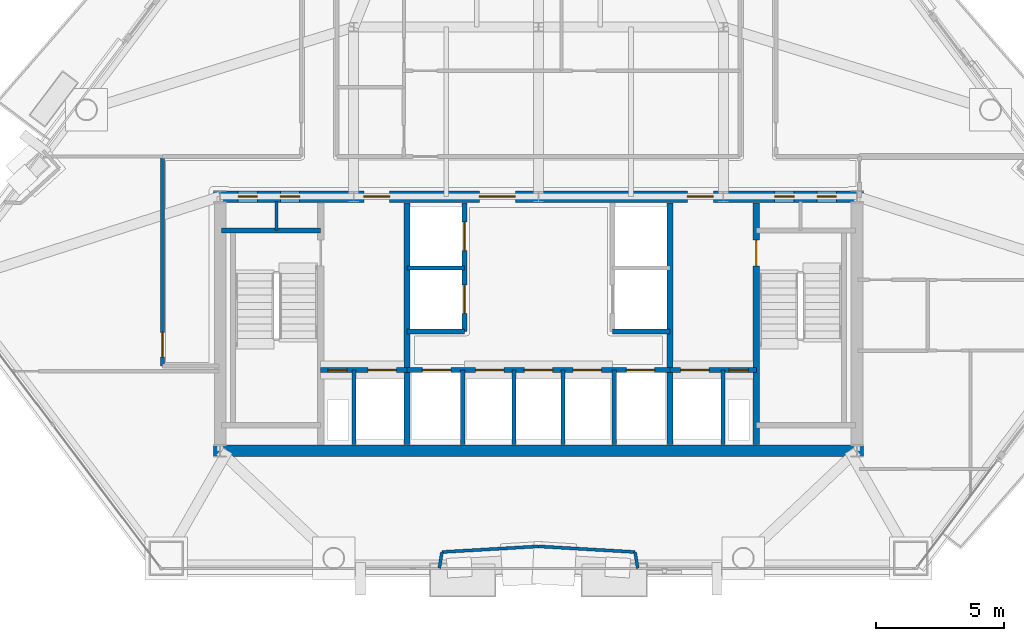
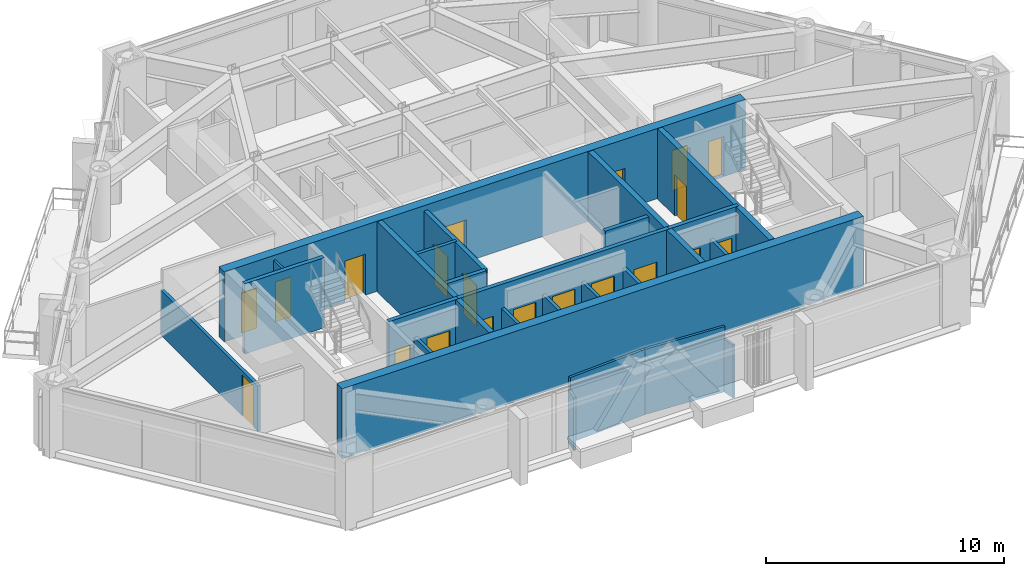
# One storey, part 6 of 11: 25 walls, 20 doors, 20 openings.
"""IFC4 building model written with IfcOpenShell, lengths in metres."""

import ifcopenshell
import ifcopenshell.guid

model = None  # the IFC model being written
_history = None  # IfcOwnerHistory: only IFC2X3 demands one
_inside = {}  # id of a spatial element -> (the spatial element, [elements in it])
_under = {}  # id of a project, library or spatial element -> (it, [spatial elements below it])
_declared = {}  # id of a project -> (the project, [libraries it declares])
_typed = {}  # id of a type object -> (the type object, [elements of that type])
_made_of = {}  # id of a material, layer set ... -> (it, [elements and type objects made of it])


def new_model(schema):
    """Start an empty IFC model of exactly this schema.

    Asked for "IFC4X3", IfcOpenShell would pick the latest addendum, in which some entities
    have other attributes; the version numbers below select the first issue.
    IFC2X3 requires an IfcOwnerHistory on every rooted entity: one is made here for all.
    """
    global model, _history
    if schema == "IFC4X3":
        model = ifcopenshell.file(schema_version=(4, 3, 0, 0))
    else:
        model = ifcopenshell.file(schema=schema)
    _inside.clear()
    _under.clear()
    _declared.clear()
    _typed.clear()
    _made_of.clear()
    _history = None
    if model.schema == "IFC2X3":
        org = make("IfcOrganization", Name="unknown")
        user = make(
            "IfcPersonAndOrganization",
            ThePerson=make("IfcPerson", FamilyName="unknown"),
            TheOrganization=org,
        )
        app = make(
            "IfcApplication",
            ApplicationDeveloper=org,
            Version="unknown",
            ApplicationFullName="unknown",
            ApplicationIdentifier="unknown",
        )
        _history = make(
            "IfcOwnerHistory",
            OwningUser=user,
            OwningApplication=app,
            ChangeAction="ADDED",
            CreationDate=0,
        )
    return model


def make(cls, **values):
    """One entity of the class cls with the attributes given. An attribute that is None is left unset."""
    return model.create_entity(
        cls, **{name: value for name, value in values.items() if value is not None}
    )


def rooted(cls, **values):
    """An entity with a GlobalId (a new one), such as an element, a storey or a relation."""
    return make(cls, GlobalId=ifcopenshell.guid.new(), OwnerHistory=_history, **values)


def si_unit(unit_type, name, prefix=None):
    """IfcSIUnit, for example si_unit("LENGTHUNIT", "METRE", prefix="MILLI")."""
    return make("IfcSIUnit", UnitType=unit_type, Prefix=prefix, Name=name)


def assignment(units):
    """IfcUnitAssignment: the units of a project."""
    return None if units is None else make("IfcUnitAssignment", Units=units)


def point(xyz):
    """IfcCartesianPoint."""
    return None if xyz is None else make("IfcCartesianPoint", Coordinates=xyz)


def direction(xyz):
    """IfcDirection."""
    return None if xyz is None else make("IfcDirection", DirectionRatios=xyz)


def frame(location, z_axis=None, x_axis=None):
    """IfcAxis2Placement3D, a coordinate frame: its origin and axes. An axis left out is left unset."""
    return make(
        "IfcAxis2Placement3D",
        Location=point(location),
        Axis=direction(z_axis),
        RefDirection=direction(x_axis),
    )


def frame_2d(location, x_axis=None):
    """IfcAxis2Placement2D, a coordinate frame in the plane: its origin and x axis."""
    return make(
        "IfcAxis2Placement2D", Location=point(location), RefDirection=direction(x_axis)
    )


def origin():
    """The frame at (0, 0, 0) with its axes left unset."""
    return frame((0.0, 0.0, 0.0))


def place(relative_to, where):
    """IfcLocalPlacement: puts the frame where relative to a parent placement (None: the world)."""
    return make(
        "IfcLocalPlacement", PlacementRelTo=relative_to, RelativePlacement=where
    )


def context(
    kind, dimensions, precision=None, world=None, true_north=None, identifier=None
):
    """IfcGeometricRepresentationContext, for example the 3D "Model" context."""
    return make(
        "IfcGeometricRepresentationContext",
        ContextIdentifier=identifier,
        ContextType=kind,
        CoordinateSpaceDimension=dimensions,
        Precision=precision,
        WorldCoordinateSystem=world,
        TrueNorth=true_north,
    )


def subcontext(parent, identifier, kind, view, scale=None):
    """IfcGeometricRepresentationSubContext, for example "Body" below "Model"."""
    return make(
        "IfcGeometricRepresentationSubContext",
        ContextIdentifier=identifier,
        ContextType=kind,
        ParentContext=parent,
        TargetScale=scale,
        TargetView=view,
    )


def project(units=None, contexts=None):
    """IfcProject with its units and contexts."""
    return rooted(
        "IfcProject",
        Name="project",
        RepresentationContexts=contexts,
        UnitsInContext=assignment(units),
    )


def spatial(cls, under=None, at=None, **own):
    """A site, building, storey or space (cls), placed at a placement, below another one or the project."""
    s = rooted(cls, ObjectPlacement=at, **own)
    if under is not None:
        _under.setdefault(under.id(), (under, []))[1].append(s)
    return s


def profile(cls, at=None, kind="AREA", **sizes):
    """A parametric profile (cls). Its sizes go by their IFC names, for example OverallWidth=200.0."""
    return make(cls, ProfileType=kind, Position=at, **sizes)


def rectangle(**sizes):
    """IfcRectangleProfileDef."""
    return profile("IfcRectangleProfileDef", **sizes)


def extrude(swept, where, along, depth):
    """IfcExtrudedAreaSolid: the profile swept, set in the frame where, extruded along a direction by depth."""
    return make(
        "IfcExtrudedAreaSolid",
        SweptArea=swept,
        Position=where,
        ExtrudedDirection=direction(along),
        Depth=depth,
    )


def shape(context_of_items, identifier, shape_type, items):
    """IfcShapeRepresentation: the items that make up one representation, for example the "Body"."""
    return make(
        "IfcShapeRepresentation",
        ContextOfItems=context_of_items,
        RepresentationIdentifier=identifier,
        RepresentationType=shape_type,
        Items=items,
    )


def material(Name=None, Category=None):
    """IfcMaterial."""
    return make("IfcMaterial", Name=Name, Category=Category)


def layer(
    of_material, thickness, ventilated=None, Name=None, Category=None, Priority=None
):
    """IfcMaterialLayer: one layer of a wall or slab, of a material (None: an air gap)."""
    return make(
        "IfcMaterialLayer",
        Material=of_material,
        LayerThickness=thickness,
        IsVentilated=ventilated,
        Name=Name,
        Category=Category,
        Priority=Priority,
    )


def layer_set(layers, Name=None):
    """IfcMaterialLayerSet."""
    return make("IfcMaterialLayerSet", MaterialLayers=layers, LayerSetName=Name)


def made_of(thing, what):
    """Note that an element or type object is made of a material, layer set ...; save() writes the relation."""
    if what is not None:
        _made_of.setdefault(what.id(), (what, []))[1].append(thing)
    return thing


def type_object(cls, material=None, **own):
    """A type object (cls), such as IfcWallType, which elements share."""
    return made_of(rooted(cls, **own), material)


def element(
    cls,
    number,
    at=None,
    inside=None,
    cuts=None,
    type_object=None,
    material=None,
    context=None,
    identifier="Body",
    shape_type=None,
    held_by="IfcProductDefinitionShape",
    body=None,
    shapes=None,
    **own,
):
    """One element of the class cls, such as IfcWall. Its Tag is "e" and its number.

    at: its placement. inside: the storey or other place that contains it. cuts: it is an
    opening in that element (IfcRelVoidsElement). A single representation is given by context,
    identifier, shape_type and body (its items); several are given by shapes. held_by: the class
    of the entity that holds the representations. save() writes the other relations.
    """
    e = rooted(cls, Tag="e%d" % number, ObjectPlacement=at, **own)
    if body is not None:
        shapes = [shape(context, identifier, shape_type, body)]
    if shapes is not None:
        e.Representation = make(held_by, Representations=shapes)
    if inside is not None:
        _inside.setdefault(inside.id(), (inside, []))[1].append(e)
    if cuts is not None:
        rooted(
            "IfcRelVoidsElement", RelatingBuildingElement=cuts, RelatedOpeningElement=e
        )
    if type_object is not None:
        _typed.setdefault(type_object.id(), (type_object, []))[1].append(e)
    return made_of(e, material)


def fill(opening, filler):
    """IfcRelFillsElement: the door or window that sits in an opening."""
    return rooted(
        "IfcRelFillsElement",
        RelatingOpeningElement=opening,
        RelatedBuildingElement=filler,
    )


def aggregate(whole, parts):
    """IfcRelAggregates: a whole, such as a stair, and the parts it consists of."""
    return rooted("IfcRelAggregates", RelatingObject=whole, RelatedObjects=parts)


def save(model, path):
    """Write the relations noted so far, then the file.

    IfcRelAggregates (storeys below a building ...), IfcRelContainedInSpatialStructure (elements
    in a storey), IfcRelDefinesByType, IfcRelAssociatesMaterial and IfcRelDeclares: one each for
    every whole, place, type object, material and project.
    """
    for whole, parts in _under.values():
        aggregate(whole, parts)
    for where, things in _inside.values():
        rooted(
            "IfcRelContainedInSpatialStructure",
            RelatedElements=things,
            RelatingStructure=where,
        )
    for kind, things in _typed.values():
        rooted("IfcRelDefinesByType", RelatedObjects=things, RelatingType=kind)
    for what, things in _made_of.values():
        rooted("IfcRelAssociatesMaterial", RelatedObjects=things, RelatingMaterial=what)
    for by, libraries in _declared.values():
        rooted("IfcRelDeclares", RelatingContext=by, RelatedDefinitions=libraries)
    model.write(path)


model = new_model("IFC4")

# Units and contexts
model_context = context("Model", 3, precision=1e-05, world=origin(), true_north=direction((0.0, 1.0)))
body_context = subcontext(model_context, "Body", "Model", "MODEL_VIEW")
ifc_project = project(units=[si_unit("LENGTHUNIT", "METRE"), si_unit("AREAUNIT", "SQUARE_METRE"), si_unit("VOLUMEUNIT", "CUBIC_METRE"), si_unit("PLANEANGLEUNIT", "RADIAN"), si_unit("MASSUNIT", "GRAM", prefix="KILO")], contexts=[model_context])

# Site, building, storey
site_placement = place(None, origin())
site = spatial("IfcSite", under=ifc_project, at=site_placement, CompositionType="ELEMENT")
building_placement = place(site_placement, origin())
building = spatial("IfcBuilding", under=site, at=building_placement, Name="Talgorran Terracotta Tower", CompositionType="ELEMENT")
storey_placement = place(building_placement, frame((0.0, 0.0, 35.10009765625)))
storey = spatial("IfcBuildingStorey", under=building, at=storey_placement, Name="L08", CompositionType="ELEMENT", Elevation=35.10009765625)

# Wall
ifc_material_1 = material(Name="Concrete C50/60", Category="concrete")
ifc_layer_1 = layer(ifc_material_1, 0.199951171875, Name="WT_CORE_200")
ifc_layer_set_1 = layer_set([ifc_layer_1], Name="Concrete C50/60")
wall_type_1 = type_object("IfcWallType", Name="WT_CORE_200", PredefinedType="SOLIDWALL", material=ifc_layer_set_1)
wall_1_placement = place(storey_placement, frame((-12.35009765625, -5.52001953125, 0.0), z_axis=(0.0, 0.0, 1.0), x_axis=(1.0, 0.0, 0.0)))
element("IfcWall", 1, at=wall_1_placement, inside=storey, type_object=wall_type_1, Name="WL-L08-CW-ST1-N", PredefinedType="SOLIDWALL", context=body_context, shape_type="SweptSolid", body=[
    extrude(rectangle(XDim=3.8701171875, YDim=0.199951171875, at=frame_2d((1.93505859375, 0.0))), origin(), (0.0, 0.0, 1.0), 3.599853515625),
])

# Wall, openings, doors
wall_2_placement = place(storey_placement, frame((-8.47998046875, -10.949951171875, 0.0), z_axis=(0.0, 0.0, 1.0), x_axis=(1.0, 0.0, 0.0)))
wall_2 = element("IfcWall", 2, at=wall_2_placement, inside=storey, type_object=wall_type_1, Name="WL-L08-CW-H-SBW", PredefinedType="SOLIDWALL", context=body_context, shape_type="SweptSolid", body=[
    extrude(rectangle(XDim=3.35986328125, YDim=0.199951171875, at=frame_2d((1.679931640625, 0.0))), origin(), (0.0, 0.0, 1.0), 3.599853515625),
])
opening_1_placement = place(wall_2_placement, frame((0.280029296875, 0.0, 0.0)))
opening_1 = element("IfcOpeningElement", 3, at=opening_1_placement, cuts=wall_2, Name="Opening DR-RSW", PredefinedType="OPENING", context=body_context, shape_type="SweptSolid", body=[
    extrude(rectangle(XDim=0.756, YDim=2.054048828125, at=frame_2d((0.375, 1.027099609375))), frame((0.0, 0.10986328125, 0.0), z_axis=(0.0, -1.0, 0.0), x_axis=(1.0, 0.0, 0.0)), (0.0, 0.0, 1.0), 0.219970703125),
])
opening_2_placement = place(wall_2_placement, frame((1.85009765625, 0.0, 0.0)))
opening_2 = element("IfcOpeningElement", 4, at=opening_2_placement, cuts=wall_2, Name="Opening LD-FFL1", PredefinedType="OPENING", context=body_context, shape_type="SweptSolid", body=[
    extrude(rectangle(XDim=1.10609765625, YDim=2.10409765625, at=frame_2d((0.550048828125, 1.052001953125))), frame((0.0, 0.10986328125, 0.0), z_axis=(0.0, -1.0, 0.0), x_axis=(1.0, 0.0, 0.0)), (0.0, 0.0, 1.0), 0.219970703125),
])
ifc_material_2 = material(Name="Brushed Stainless Steel Grade 304", Category="steel")
door_type_1 = type_object("IfcDoorType", Name="DT_LIFT_LD1100", OperationType="DOUBLE_DOOR_SLIDING", PredefinedType="DOOR", material=ifc_material_2)
door_1_placement = place(opening_2_placement, origin())
door_1 = element("IfcDoor", 5, at=door_1_placement, inside=storey, type_object=door_type_1, Name="L08 Lift Landing Door LD-FFL1", OperationType="DOUBLE_DOOR_SLIDING", OverallHeight=2.10009765625, OverallWidth=1.10009765625, PredefinedType="DOOR", context=body_context, shape_type="SweptSolid", body=[
    extrude(rectangle(XDim=1.10009765625, YDim=2.10009765625, at=frame_2d((0.550048828125, 1.050048828125))), frame((0.0, 0.02490234375, 0.0), z_axis=(0.0, -1.0, 0.0), x_axis=(1.0, 0.0, 0.0)), (0.0, 0.0, 1.0), 0.050048828125),
])
fill(opening_2, door_1)
ifc_material_3 = material(Name="Fire-Rated Pressed Steel", Category="steel")
door_type_2 = type_object("IfcDoorType", Name="DT_RISER_750", OperationType="NOTDEFINED", PredefinedType="DOOR", material=ifc_material_3)
door_2_placement = place(opening_1_placement, origin())
door_2 = element("IfcDoor", 6, at=door_2_placement, inside=storey, type_object=door_type_2, Name="DR-RSW", OperationType="SINGLE_SWING_LEFT", OverallHeight=2.050048828125, OverallWidth=0.75, PredefinedType="DOOR", context=body_context, shape_type="SweptSolid", body=[
    extrude(rectangle(XDim=0.75, YDim=2.050048828125, at=frame_2d((0.375, 1.02490234375))), frame((0.0, 0.02490234375, 0.0), z_axis=(0.0, -1.0, 0.0), x_axis=(1.0, 0.0, 0.0)), (0.0, 0.0, 1.0), 0.050048828125),
])
fill(opening_1, door_2)

wall_3_placement = place(storey_placement, frame((-5.1201171875, -10.949951171875, 0.0), z_axis=(0.0, 0.0, 1.0), x_axis=(1.0, 0.0, 0.0)))
wall_3 = element("IfcWall", 7, at=wall_3_placement, inside=storey, type_object=wall_type_1, Name="WL-L08-CW-H-SBC", PredefinedType="SOLIDWALL", context=body_context, shape_type="SweptSolid", body=[
    extrude(rectangle(XDim=10.240234375, YDim=0.199951171875, at=frame_2d((5.1201171875, 0.0))), origin(), (0.0, 0.0, 1.0), 3.599853515625),
])
opening_3_placement = place(wall_3_placement, frame((0.60009765625, 0.0, 0.0)))
opening_3 = element("IfcOpeningElement", 8, at=opening_3_placement, cuts=wall_3, Name="Opening LD-OB1", PredefinedType="OPENING", context=body_context, shape_type="SweptSolid", body=[
    extrude(rectangle(XDim=1.10609765625, YDim=2.10409765625, at=frame_2d((0.550048828125, 1.052001953125))), frame((0.0, 0.10986328125, 0.0), z_axis=(0.0, -1.0, 0.0), x_axis=(1.0, 0.0, 0.0)), (0.0, 0.0, 1.0), 0.219970703125),
])
opening_4_placement = place(wall_3_placement, frame((2.669921875, 0.0, 0.0)))
opening_4 = element("IfcOpeningElement", 9, at=opening_4_placement, cuts=wall_3, Name="Opening LD-PLH1", PredefinedType="OPENING", context=body_context, shape_type="SweptSolid", body=[
    extrude(rectangle(XDim=1.10609765625, YDim=2.10409765625, at=frame_2d((0.550048828125, 1.052001953125))), frame((0.0, 0.10986328125, 0.0), z_axis=(0.0, -1.0, 0.0), x_axis=(1.0, 0.0, 0.0)), (0.0, 0.0, 1.0), 0.219970703125),
])
opening_5_placement = place(wall_3_placement, frame((4.570068359375, 0.0, 0.0)))
opening_5 = element("IfcOpeningElement", 10, at=opening_5_placement, cuts=wall_3, Name="Opening LD-PLH2", PredefinedType="OPENING", context=body_context, shape_type="SweptSolid", body=[
    extrude(rectangle(XDim=1.10609765625, YDim=2.10409765625, at=frame_2d((0.550048828125, 1.052001953125))), frame((0.0, 0.10986328125, 0.0), z_axis=(0.0, -1.0, 0.0), x_axis=(1.0, 0.0, 0.0)), (0.0, 0.0, 1.0), 0.219970703125),
])
opening_6_placement = place(wall_3_placement, frame((6.469970703125, 0.0, 0.0)))
opening_6 = element("IfcOpeningElement", 11, at=opening_6_placement, cuts=wall_3, Name="Opening LD-PLH3", PredefinedType="OPENING", context=body_context, shape_type="SweptSolid", body=[
    extrude(rectangle(XDim=1.10609765625, YDim=2.10409765625, at=frame_2d((0.550048828125, 1.052001953125))), frame((0.0, 0.10986328125, 0.0), z_axis=(0.0, -1.0, 0.0), x_axis=(1.0, 0.0, 0.0)), (0.0, 0.0, 1.0), 0.219970703125),
])
opening_7_placement = place(wall_3_placement, frame((8.5400390625, 0.0, 0.0)))
opening_7 = element("IfcOpeningElement", 12, at=opening_7_placement, cuts=wall_3, Name="Opening LD-SVL1", PredefinedType="OPENING", context=body_context, shape_type="SweptSolid", body=[
    extrude(rectangle(XDim=1.10609765625, YDim=2.10409765625, at=frame_2d((0.550048828125, 1.052001953125))), frame((0.0, 0.10986328125, 0.0), z_axis=(0.0, -1.0, 0.0), x_axis=(1.0, 0.0, 0.0)), (0.0, 0.0, 1.0), 0.219970703125),
])
door_3_placement = place(opening_3_placement, origin())
door_3 = element("IfcDoor", 13, at=door_3_placement, inside=storey, type_object=door_type_1, Name="L08 Lift Landing Door LD-OB1", OperationType="DOUBLE_DOOR_SLIDING", OverallHeight=2.10009765625, OverallWidth=1.10009765625, PredefinedType="DOOR", context=body_context, shape_type="SweptSolid", body=[
    extrude(rectangle(XDim=1.10009765625, YDim=2.10009765625, at=frame_2d((0.550048828125, 1.050048828125))), frame((0.0, 0.02490234375, 0.0), z_axis=(0.0, -1.0, 0.0), x_axis=(1.0, 0.0, 0.0)), (0.0, 0.0, 1.0), 0.050048828125),
])
fill(opening_3, door_3)
door_4_placement = place(opening_4_placement, origin())
door_4 = element("IfcDoor", 14, at=door_4_placement, inside=storey, type_object=door_type_1, Name="L08 Lift Landing Door LD-PLH1", OperationType="DOUBLE_DOOR_SLIDING", OverallHeight=2.10009765625, OverallWidth=1.10009765625, PredefinedType="DOOR", context=body_context, shape_type="SweptSolid", body=[
    extrude(rectangle(XDim=1.10009765625, YDim=2.10009765625, at=frame_2d((0.550048828125, 1.050048828125))), frame((0.0, 0.02490234375, 0.0), z_axis=(0.0, -1.0, 0.0), x_axis=(1.0, 0.0, 0.0)), (0.0, 0.0, 1.0), 0.050048828125),
])
fill(opening_4, door_4)
door_5_placement = place(opening_5_placement, origin())
door_5 = element("IfcDoor", 15, at=door_5_placement, inside=storey, type_object=door_type_1, Name="L08 Lift Landing Door LD-PLH2", OperationType="DOUBLE_DOOR_SLIDING", OverallHeight=2.10009765625, OverallWidth=1.10009765625, PredefinedType="DOOR", context=body_context, shape_type="SweptSolid", body=[
    extrude(rectangle(XDim=1.10009765625, YDim=2.10009765625, at=frame_2d((0.550048828125, 1.050048828125))), frame((0.0, 0.02490234375, 0.0), z_axis=(0.0, -1.0, 0.0), x_axis=(1.0, 0.0, 0.0)), (0.0, 0.0, 1.0), 0.050048828125),
])
fill(opening_5, door_5)
door_6_placement = place(opening_6_placement, origin())
door_6 = element("IfcDoor", 16, at=door_6_placement, inside=storey, type_object=door_type_1, Name="L08 Lift Landing Door LD-PLH3", OperationType="DOUBLE_DOOR_SLIDING", OverallHeight=2.10009765625, OverallWidth=1.10009765625, PredefinedType="DOOR", context=body_context, shape_type="SweptSolid", body=[
    extrude(rectangle(XDim=1.10009765625, YDim=2.10009765625, at=frame_2d((0.550048828125, 1.050048828125))), frame((0.0, 0.02490234375, 0.0), z_axis=(0.0, -1.0, 0.0), x_axis=(1.0, 0.0, 0.0)), (0.0, 0.0, 1.0), 0.050048828125),
])
fill(opening_6, door_6)
door_7_placement = place(opening_7_placement, origin())
door_7 = element("IfcDoor", 17, at=door_7_placement, inside=storey, type_object=door_type_1, Name="L08 Lift Landing Door LD-SVL1", OperationType="DOUBLE_DOOR_SLIDING", OverallHeight=2.10009765625, OverallWidth=1.10009765625, PredefinedType="DOOR", context=body_context, shape_type="SweptSolid", body=[
    extrude(rectangle(XDim=1.10009765625, YDim=2.10009765625, at=frame_2d((0.550048828125, 1.050048828125))), frame((0.0, 0.02490234375, 0.0), z_axis=(0.0, -1.0, 0.0), x_axis=(1.0, 0.0, 0.0)), (0.0, 0.0, 1.0), 0.050048828125),
])
fill(opening_7, door_7)

wall_4_placement = place(storey_placement, frame((5.1201171875, -10.949951171875, 0.0), z_axis=(0.0, 0.0, 1.0), x_axis=(1.0, 0.0, 0.0)))
wall_4 = element("IfcWall", 18, at=wall_4_placement, inside=storey, type_object=wall_type_1, Name="WL-L08-CW-H-SBE", PredefinedType="SOLIDWALL", context=body_context, shape_type="SweptSolid", body=[
    extrude(rectangle(XDim=3.35986328125, YDim=0.199951171875, at=frame_2d((1.679931640625, 0.0))), origin(), (0.0, 0.0, 1.0), 3.599853515625),
])
opening_8_placement = place(wall_4_placement, frame((0.419921875, 0.0, 0.0)))
opening_8 = element("IfcOpeningElement", 19, at=opening_8_placement, cuts=wall_4, Name="Opening LD-FFL2", PredefinedType="OPENING", context=body_context, shape_type="SweptSolid", body=[
    extrude(rectangle(XDim=1.10609765625, YDim=2.10409765625, at=frame_2d((0.550048828125, 1.052001953125))), frame((0.0, 0.10986328125, 0.0), z_axis=(0.0, -1.0, 0.0), x_axis=(1.0, 0.0, 0.0)), (0.0, 0.0, 1.0), 0.219970703125),
])
opening_9_placement = place(wall_4_placement, frame((2.300048828125, 0.0, 0.0)))
opening_9 = element("IfcOpeningElement", 20, at=opening_9_placement, cuts=wall_4, Name="Opening DR-RSE", PredefinedType="OPENING", context=body_context, shape_type="SweptSolid", body=[
    extrude(rectangle(XDim=0.756, YDim=2.054048828125, at=frame_2d((0.375, 1.027099609375))), frame((0.0, 0.10986328125, 0.0), z_axis=(0.0, -1.0, 0.0), x_axis=(1.0, 0.0, 0.0)), (0.0, 0.0, 1.0), 0.219970703125),
])
door_8_placement = place(opening_8_placement, origin())
door_8 = element("IfcDoor", 21, at=door_8_placement, inside=storey, type_object=door_type_1, Name="L08 Lift Landing Door LD-FFL2", OperationType="DOUBLE_DOOR_SLIDING", OverallHeight=2.10009765625, OverallWidth=1.10009765625, PredefinedType="DOOR", context=body_context, shape_type="SweptSolid", body=[
    extrude(rectangle(XDim=1.10009765625, YDim=2.10009765625, at=frame_2d((0.550048828125, 1.050048828125))), frame((0.0, 0.02490234375, 0.0), z_axis=(0.0, -1.0, 0.0), x_axis=(1.0, 0.0, 0.0)), (0.0, 0.0, 1.0), 0.050048828125),
])
fill(opening_8, door_8)
door_9_placement = place(opening_9_placement, origin())
door_9 = element("IfcDoor", 22, at=door_9_placement, inside=storey, type_object=door_type_2, Name="DR-RSE", OperationType="SINGLE_SWING_RIGHT", OverallHeight=2.050048828125, OverallWidth=0.75, PredefinedType="DOOR", context=body_context, shape_type="SweptSolid", body=[
    extrude(rectangle(XDim=0.75, YDim=2.050048828125, at=frame_2d((0.375, 1.02490234375))), frame((0.0, 0.02490234375, 0.0), z_axis=(0.0, -1.0, 0.0), x_axis=(1.0, 0.0, 0.0)), (0.0, 0.0, 1.0), 0.050048828125),
])
fill(opening_9, door_9)

wall_5_placement = place(storey_placement, frame((-2.8798828125, -9.449951171875, 0.0), z_axis=(0.0, 0.0, 1.0), x_axis=(0.0, 1.0, 0.0)))
wall_5 = element("IfcWall", 23, at=wall_5_placement, inside=storey, type_object=wall_type_1, Name="WL-L08-CW-V-W3", PredefinedType="SOLIDWALL", context=body_context, shape_type="SweptSolid", body=[
    extrude(rectangle(XDim=5.0, YDim=0.199951171875, at=frame_2d((2.5, 0.0))), origin(), (0.0, 0.0, 1.0), 3.349853515625),
])
opening_10_placement = place(wall_5_placement, frame((0.699951171875, 0.0, 0.0)))
opening_10 = element("IfcOpeningElement", 24, at=opening_10_placement, cuts=wall_5, Name="Opening LD-PLL1", PredefinedType="OPENING", context=body_context, shape_type="SweptSolid", body=[
    extrude(rectangle(XDim=1.10609765625, YDim=2.10409765625, at=frame_2d((0.550048828125, 1.052001953125))), frame((0.0, 0.10986328125, 0.0), z_axis=(0.0, -1.0, 0.0), x_axis=(1.0, 0.0, 0.0)), (0.0, 0.0, 1.0), 0.219970703125),
])
opening_11_placement = place(wall_5_placement, frame((3.14990234375, 0.0, 0.0)))
opening_11 = element("IfcOpeningElement", 25, at=opening_11_placement, cuts=wall_5, Name="Opening LD-PLL2", PredefinedType="OPENING", context=body_context, shape_type="SweptSolid", body=[
    extrude(rectangle(XDim=1.10609765625, YDim=2.10409765625, at=frame_2d((0.550048828125, 1.052001953125))), frame((0.0, 0.10986328125, 0.0), z_axis=(0.0, -1.0, 0.0), x_axis=(1.0, 0.0, 0.0)), (0.0, 0.0, 1.0), 0.219970703125),
])
door_10_placement = place(opening_10_placement, origin())
door_10 = element("IfcDoor", 26, at=door_10_placement, inside=storey, type_object=door_type_1, Name="L08 Lift Landing Door LD-PLL1", OperationType="DOUBLE_DOOR_SLIDING", OverallHeight=2.10009765625, OverallWidth=1.10009765625, PredefinedType="DOOR", context=body_context, shape_type="SweptSolid", body=[
    extrude(rectangle(XDim=1.10009765625, YDim=2.10009765625, at=frame_2d((0.550048828125, 1.050048828125))), frame((0.0, 0.02490234375, 0.0), z_axis=(0.0, -1.0, 0.0), x_axis=(1.0, 0.0, 0.0)), (0.0, 0.0, 1.0), 0.050048828125),
])
fill(opening_10, door_10)
door_11_placement = place(opening_11_placement, origin())
door_11 = element("IfcDoor", 27, at=door_11_placement, inside=storey, type_object=door_type_1, Name="L08 Lift Landing Door LD-PLL2", OperationType="DOUBLE_DOOR_SLIDING", OverallHeight=2.10009765625, OverallWidth=1.10009765625, PredefinedType="DOOR", context=body_context, shape_type="SweptSolid", body=[
    extrude(rectangle(XDim=1.10009765625, YDim=2.10009765625, at=frame_2d((0.550048828125, 1.050048828125))), frame((0.0, 0.02490234375, 0.0), z_axis=(0.0, -1.0, 0.0), x_axis=(1.0, 0.0, 0.0)), (0.0, 0.0, 1.0), 0.050048828125),
])
fill(opening_11, door_11)

# Walls
for number, where, z_axis, x_axis, name in (
    (28, (-5.1201171875, -9.449951171875, 0.0), (0.0, 0.0, 1.0), (1.0, 0.0, 0.0), "WL-L08-CW-H-W4"),
    (29, (2.8798828125, -9.449951171875, 0.0), (0.0, 0.0, 1.0), (1.0, 0.0, 0.0), "WL-L08-CW-H-E4"),
):
    element("IfcWall", number, at=place(storey_placement, frame(where, z_axis=z_axis, x_axis=x_axis)), inside=storey, type_object=wall_type_1, Name=name, PredefinedType="SOLIDWALL", context=body_context, shape_type="SweptSolid", body=[
        extrude(rectangle(XDim=2.240234375, YDim=0.199951171875, at=frame_2d((1.1201171875, 0.0))), origin(), (0.0, 0.0, 1.0), 3.349853515625),
    ])

# Wall, opening, door
ifc_layer_2 = layer(ifc_material_1, 0.25, Name="WT_CORE_250")
ifc_layer_set_2 = layer_set([ifc_layer_2], Name="Concrete C50/60")
wall_type_2 = type_object("IfcWallType", Name="WT_CORE_250", PredefinedType="SHEAR", material=ifc_layer_set_2)
wall_6_placement = place(storey_placement, frame((8.47998046875, -13.85009765625, 0.0), z_axis=(0.0, 0.0, 1.0), x_axis=(0.0, 1.0, 0.0)))
wall_6 = element("IfcWall", 30, at=wall_6_placement, inside=storey, type_object=wall_type_2, Name="WL-L08-CW-V-E1", PredefinedType="SHEAR", context=body_context, shape_type="SweptSolid", body=[
    extrude(rectangle(XDim=9.400146484375, YDim=0.25, at=frame_2d((4.7001953125, 0.0))), origin(), (0.0, 0.0, 1.0), 3.599853515625),
])
opening_12_placement = place(wall_6_placement, frame((6.949951171875, 0.0, 0.0)))
opening_12 = element("IfcOpeningElement", 31, at=opening_12_placement, cuts=wall_6, Name="Opening DR-ST02", PredefinedType="OPENING", context=body_context, shape_type="SweptSolid", body=[
    extrude(rectangle(XDim=1.006, YDim=2.10409765625, at=frame_2d((0.5, 1.052001953125))), frame((0.0, 0.135009765625, 0.0), z_axis=(0.0, -1.0, 0.0), x_axis=(1.0, 0.0, 0.0)), (0.0, 0.0, 1.0), 0.27001953125),
])
door_type_3 = type_object("IfcDoorType", Name="DT_FIRE_1000", OperationType="NOTDEFINED", PredefinedType="DOOR", material=ifc_material_3)
door_12_placement = place(opening_12_placement, origin())
door_12 = element("IfcDoor", 32, at=door_12_placement, inside=storey, type_object=door_type_3, Name="DR-ST02", OperationType="SINGLE_SWING_RIGHT", OverallHeight=2.10009765625, OverallWidth=1.0, PredefinedType="DOOR", context=body_context, shape_type="SweptSolid", body=[
    extrude(rectangle(XDim=1.0, YDim=2.10009765625, at=frame_2d((0.5, 1.050048828125))), frame((0.0, 0.02490234375, 0.0), z_axis=(0.0, -1.0, 0.0), x_axis=(1.0, 0.0, 0.0)), (0.0, 0.0, 1.0), 0.050048828125),
])
fill(opening_12, door_12)

# Walls
for number, where, z_axis, x_axis, name in (
    (33, (-5.1201171875, -13.85009765625, 0.0), (0.0, 0.0, 1.0), (0.0, 1.0, 0.0), "WL-L08-CW-V-W2"),
    (34, (5.1201171875, -13.85009765625, 0.0), (0.0, 0.0, 1.0), (0.0, 1.0, 0.0), "WL-L08-CW-V-E2"),
):
    element("IfcWall", number, at=place(storey_placement, frame(where, z_axis=z_axis, x_axis=x_axis)), inside=storey, type_object=wall_type_2, Name=name, PredefinedType="SHEAR", context=body_context, shape_type="SweptSolid", body=[
        extrude(rectangle(XDim=9.400146484375, YDim=0.25, at=frame_2d((4.7001953125, 0.0))), origin(), (0.0, 0.0, 1.0), 3.599853515625),
    ])
ifc_material_4 = material(Name="Concrete C65/80", Category="concrete")
ifc_layer_3 = layer(ifc_material_4, 0.449951171875, Name="WT_CORE_EXT")
ifc_layer_set_3 = layer_set([ifc_layer_3], Name="Concrete C65/80")
wall_type_3 = type_object("IfcWallType", Name="WT_CORE_EXT", PredefinedType="SHEAR", material=ifc_layer_set_3)
wall_7_placement = place(storey_placement, frame((-12.64990234375, -14.10009765625, 0.0), z_axis=(0.0, 0.0, 1.0), x_axis=(1.0, 0.0, 0.0)))
element("IfcWall", 35, at=wall_7_placement, inside=storey, type_object=wall_type_3, Name="WL-L08-CW-OUT-S", PredefinedType="SHEAR", context=body_context, shape_type="SweptSolid", body=[
    extrude(rectangle(XDim=25.2998046875, YDim=0.449951171875, at=frame_2d((12.64990234375, 0.0))), origin(), (0.0, 0.0, 1.0), 3.599853515625),
])

# Wall, openings, doors
wall_8_placement = place(storey_placement, frame((-12.64990234375, -4.199951171875, 0.0), z_axis=(0.0, 0.0, 1.0), x_axis=(1.0, 0.0, 0.0)))
wall_8 = element("IfcWall", 36, at=wall_8_placement, inside=storey, type_object=wall_type_3, Name="WL-L08-CW-OUT-N", PredefinedType="SHEAR", context=body_context, shape_type="SweptSolid", body=[
    extrude(rectangle(XDim=25.2998046875, YDim=0.449951171875, at=frame_2d((12.64990234375, 0.0))), origin(), (0.0, 0.0, 1.0), 3.599853515625),
])
opening_13_placement = place(wall_8_placement, frame((0.949951171875, 0.0, 0.0)))
opening_13 = element("IfcOpeningElement", 37, at=opening_13_placement, cuts=wall_8, Name="Opening DR-CSN1", PredefinedType="OPENING", context=body_context, shape_type="SweptSolid", body=[
    extrude(rectangle(XDim=0.756, YDim=2.054048828125, at=frame_2d((0.375, 1.027099609375))), frame((0.0, 0.23486328125, 0.0), z_axis=(0.0, -1.0, 0.0), x_axis=(1.0, 0.0, 0.0)), (0.0, 0.0, 1.0), 0.469970703125),
])
opening_14_placement = place(wall_8_placement, frame((2.60009765625, 0.0, 0.0)))
opening_14 = element("IfcOpeningElement", 38, at=opening_14_placement, cuts=wall_8, Name="Opening DR-CSN2", PredefinedType="OPENING", context=body_context, shape_type="SweptSolid", body=[
    extrude(rectangle(XDim=0.756, YDim=2.054048828125, at=frame_2d((0.375, 1.027099609375))), frame((0.0, 0.23486328125, 0.0), z_axis=(0.0, -1.0, 0.0), x_axis=(1.0, 0.0, 0.0)), (0.0, 0.0, 1.0), 0.469970703125),
])
opening_15_placement = place(wall_8_placement, frame((21.85009765625, 0.0, 0.0)))
opening_15 = element("IfcOpeningElement", 39, at=opening_15_placement, cuts=wall_8, Name="Opening DR-CSN3", PredefinedType="OPENING", context=body_context, shape_type="SweptSolid", body=[
    extrude(rectangle(XDim=0.756, YDim=2.054048828125, at=frame_2d((0.375, 1.027099609375))), frame((0.0, 0.23486328125, 0.0), z_axis=(0.0, -1.0, 0.0), x_axis=(1.0, 0.0, 0.0)), (0.0, 0.0, 1.0), 0.469970703125),
])
opening_16_placement = place(wall_8_placement, frame((23.5, 0.0, 0.0)))
opening_16 = element("IfcOpeningElement", 40, at=opening_16_placement, cuts=wall_8, Name="Opening DR-CSN4", PredefinedType="OPENING", context=body_context, shape_type="SweptSolid", body=[
    extrude(rectangle(XDim=0.756, YDim=2.054048828125, at=frame_2d((0.375, 1.027099609375))), frame((0.0, 0.23486328125, 0.0), z_axis=(0.0, -1.0, 0.0), x_axis=(1.0, 0.0, 0.0)), (0.0, 0.0, 1.0), 0.469970703125),
])
opening_17_placement = place(wall_8_placement, frame((5.85009765625, 0.0, 0.0)))
opening_17 = element("IfcOpeningElement", 41, at=opening_17_placement, cuts=wall_8, Name="Opening DR-FFLW-N", PredefinedType="OPENING", context=body_context, shape_type="SweptSolid", body=[
    extrude(rectangle(XDim=1.006, YDim=2.10409765625, at=frame_2d((0.5, 1.052001953125))), frame((0.0, 0.23486328125, 0.0), z_axis=(0.0, -1.0, 0.0), x_axis=(1.0, 0.0, 0.0)), (0.0, 0.0, 1.0), 0.469970703125),
])
opening_18_placement = place(wall_8_placement, frame((10.35009765625, 0.0, 0.0)))
opening_18 = element("IfcOpeningElement", 42, at=opening_18_placement, cuts=wall_8, Name="Opening DR-PLL-N", PredefinedType="OPENING", context=body_context, shape_type="SweptSolid", body=[
    extrude(rectangle(XDim=1.40590234375, YDim=2.15390234375, at=frame_2d((0.699951171875, 1.076904296875))), frame((0.0, 0.23486328125, 0.0), z_axis=(0.0, -1.0, 0.0), x_axis=(1.0, 0.0, 0.0)), (0.0, 0.0, 1.0), 0.469970703125),
])
opening_19_placement = place(wall_8_placement, frame((18.449951171875, 0.0, 0.0)))
opening_19 = element("IfcOpeningElement", 43, at=opening_19_placement, cuts=wall_8, Name="Opening DR-FFLE-N", PredefinedType="OPENING", context=body_context, shape_type="SweptSolid", body=[
    extrude(rectangle(XDim=1.006, YDim=2.10409765625, at=frame_2d((0.5, 1.052001953125))), frame((0.0, 0.23486328125, 0.0), z_axis=(0.0, -1.0, 0.0), x_axis=(1.0, 0.0, 0.0)), (0.0, 0.0, 1.0), 0.469970703125),
])
ifc_material_5 = material(Name="Acoustic Glazed Timber", Category="wood")
door_type_4 = type_object("IfcDoorType", Name="DT_DOUBLE_1400", OperationType="DOUBLE_DOOR_SINGLE_SWING", PredefinedType="DOOR", material=ifc_material_5)
door_13_placement = place(opening_18_placement, origin())
door_13 = element("IfcDoor", 44, at=door_13_placement, inside=storey, type_object=door_type_4, Name="DR-PLL-N", OperationType="DOUBLE_DOOR_SINGLE_SWING", OverallHeight=2.14990234375, OverallWidth=1.39990234375, PredefinedType="DOOR", context=body_context, shape_type="SweptSolid", body=[
    extrude(rectangle(XDim=1.39990234375, YDim=2.14990234375, at=frame_2d((0.699951171875, 1.074951171875))), frame((0.0, 0.02490234375, 0.0), z_axis=(0.0, -1.0, 0.0), x_axis=(1.0, 0.0, 0.0)), (0.0, 0.0, 1.0), 0.050048828125),
])
fill(opening_18, door_13)
door_14_placement = place(opening_17_placement, origin())
door_14 = element("IfcDoor", 45, at=door_14_placement, inside=storey, type_object=door_type_3, Name="DR-FFLW-N", OperationType="SINGLE_SWING_LEFT", OverallHeight=2.10009765625, OverallWidth=1.0, PredefinedType="DOOR", context=body_context, shape_type="SweptSolid", body=[
    extrude(rectangle(XDim=1.0, YDim=2.10009765625, at=frame_2d((0.5, 1.050048828125))), frame((0.0, 0.02490234375, 0.0), z_axis=(0.0, -1.0, 0.0), x_axis=(1.0, 0.0, 0.0)), (0.0, 0.0, 1.0), 0.050048828125),
])
fill(opening_17, door_14)
door_15_placement = place(opening_19_placement, origin())
door_15 = element("IfcDoor", 46, at=door_15_placement, inside=storey, type_object=door_type_3, Name="DR-FFLE-N", OperationType="SINGLE_SWING_RIGHT", OverallHeight=2.10009765625, OverallWidth=1.0, PredefinedType="DOOR", context=body_context, shape_type="SweptSolid", body=[
    extrude(rectangle(XDim=1.0, YDim=2.10009765625, at=frame_2d((0.5, 1.050048828125))), frame((0.0, 0.02490234375, 0.0), z_axis=(0.0, -1.0, 0.0), x_axis=(1.0, 0.0, 0.0)), (0.0, 0.0, 1.0), 0.050048828125),
])
fill(opening_19, door_15)
door_16_placement = place(opening_13_placement, origin())
door_16 = element("IfcDoor", 47, at=door_16_placement, inside=storey, type_object=door_type_2, Name="DR-CSN1", OperationType="SINGLE_SWING_LEFT", OverallHeight=2.050048828125, OverallWidth=0.75, PredefinedType="DOOR", context=body_context, shape_type="SweptSolid", body=[
    extrude(rectangle(XDim=0.75, YDim=2.050048828125, at=frame_2d((0.375, 1.02490234375))), frame((0.0, 0.02490234375, 0.0), z_axis=(0.0, -1.0, 0.0), x_axis=(1.0, 0.0, 0.0)), (0.0, 0.0, 1.0), 0.050048828125),
])
fill(opening_13, door_16)
door_17_placement = place(opening_14_placement, origin())
door_17 = element("IfcDoor", 48, at=door_17_placement, inside=storey, type_object=door_type_2, Name="DR-CSN2", OperationType="SINGLE_SWING_RIGHT", OverallHeight=2.050048828125, OverallWidth=0.75, PredefinedType="DOOR", context=body_context, shape_type="SweptSolid", body=[
    extrude(rectangle(XDim=0.75, YDim=2.050048828125, at=frame_2d((0.375, 1.02490234375))), frame((0.0, 0.02490234375, 0.0), z_axis=(0.0, -1.0, 0.0), x_axis=(1.0, 0.0, 0.0)), (0.0, 0.0, 1.0), 0.050048828125),
])
fill(opening_14, door_17)
door_18_placement = place(opening_15_placement, origin())
door_18 = element("IfcDoor", 49, at=door_18_placement, inside=storey, type_object=door_type_2, Name="DR-CSN3", OperationType="SINGLE_SWING_LEFT", OverallHeight=2.050048828125, OverallWidth=0.75, PredefinedType="DOOR", context=body_context, shape_type="SweptSolid", body=[
    extrude(rectangle(XDim=0.75, YDim=2.050048828125, at=frame_2d((0.375, 1.02490234375))), frame((0.0, 0.02490234375, 0.0), z_axis=(0.0, -1.0, 0.0), x_axis=(1.0, 0.0, 0.0)), (0.0, 0.0, 1.0), 0.050048828125),
])
fill(opening_15, door_18)
door_19_placement = place(opening_16_placement, origin())
door_19 = element("IfcDoor", 50, at=door_19_placement, inside=storey, type_object=door_type_2, Name="DR-CSN4", OperationType="SINGLE_SWING_RIGHT", OverallHeight=2.050048828125, OverallWidth=0.75, PredefinedType="DOOR", context=body_context, shape_type="SweptSolid", body=[
    extrude(rectangle(XDim=0.75, YDim=2.050048828125, at=frame_2d((0.375, 1.02490234375))), frame((0.0, 0.02490234375, 0.0), z_axis=(0.0, -1.0, 0.0), x_axis=(1.0, 0.0, 0.0)), (0.0, 0.0, 1.0), 0.050048828125),
])
fill(opening_16, door_19)

# Wall, opening, door
ifc_material_6 = material(Name="Fire-Rated Steel Stud Plasterboard", Category="steel")
ifc_layer_4 = layer(ifc_material_6, 0.14990234375, Name="WT_FIRE_150")
ifc_layer_set_4 = layer_set([ifc_layer_4], Name="Fire-Rated Steel Stud Plasterboard")
wall_type_4 = type_object("IfcWallType", Name="WT_FIRE_150", PredefinedType="PARTITIONING", material=ifc_layer_set_4)
wall_9_placement = place(storey_placement, frame((-14.639892578125, -10.800048828125, 0.0), z_axis=(0.0, 0.0, 1.0), x_axis=(0.0, 1.0, 0.0)))
wall_9 = element("IfcWall", 51, at=wall_9_placement, inside=storey, type_object=wall_type_4, Name="WL-L08-W-L08-R01", PredefinedType="PARTITIONING", context=body_context, shape_type="SweptSolid", body=[
    extrude(rectangle(XDim=8.16015625, YDim=0.14990234375, at=frame_2d((4.080078125, 0.0))), origin(), (0.0, 0.0, 1.0), 2.324951171875),
])
opening_20_placement = place(wall_9_placement, frame((0.35888671875, 0.0, 0.0)))
opening_20 = element("IfcOpeningElement", 52, at=opening_20_placement, cuts=wall_9, Name="Opening DR-L08-R01", PredefinedType="OPENING", context=body_context, shape_type="SweptSolid", body=[
    extrude(rectangle(XDim=0.955951171875, YDim=2.10409765625, at=frame_2d((0.47509765625, 1.052001953125))), frame((0.0, 0.0849609375, 0.0), z_axis=(0.0, -1.0, 0.0), x_axis=(1.0, 0.0, 0.0)), (0.0, 0.0, 1.0), 0.169921875),
])
ifc_material_7 = material(Name="Fire-Rated Timber Core", Category="wood")
door_type_5 = type_object("IfcDoorType", Name="DT_FIRE_950", OperationType="NOTDEFINED", PredefinedType="DOOR", material=ifc_material_7)
door_20_placement = place(opening_20_placement, origin())
door_20 = element("IfcDoor", 53, at=door_20_placement, inside=storey, type_object=door_type_5, Name="DR-L08-R01", OperationType="SINGLE_SWING_LEFT", OverallHeight=2.10009765625, OverallWidth=0.949951171875, PredefinedType="DOOR", context=body_context, shape_type="SweptSolid", body=[
    extrude(rectangle(XDim=0.949951171875, YDim=2.10009765625, at=frame_2d((0.47509765625, 1.050048828125))), frame((0.0, 0.02490234375, 0.0), z_axis=(0.0, -1.0, 0.0), x_axis=(1.0, 0.0, 0.0)), (0.0, 0.0, 1.0), 0.050048828125),
])
fill(opening_20, door_20)

# Walls
ifc_material_8 = material(Name="Insulated Steel Stud Plasterboard", Category="steel")
ifc_layer_5 = layer(ifc_material_8, 0.1201171875, Name="WT_PART_120")
ifc_layer_set_5 = layer_set([ifc_layer_5], Name="Insulated Steel Stud Plasterboard")
wall_type_5 = type_object("IfcWallType", Name="WT_PART_120", PredefinedType="PARTITIONING", material=ifc_layer_set_5)
wall_10_placement = place(storey_placement, frame((-10.199951171875, -5.52001953125, 0.0), z_axis=(0.0, 0.0, 1.0), x_axis=(0.0, 1.0, 0.0)))
element("IfcWall", 54, at=wall_10_placement, inside=storey, type_object=wall_type_5, Name="WL-L08-CW-CSW-DIV", PredefinedType="PARTITIONING", context=body_context, shape_type="SweptSolid", body=[
    extrude(rectangle(XDim=1.1201171875, YDim=0.1201171875, at=frame_2d((0.56005859375, 0.0))), origin(), (0.0, 0.0, 1.0), 3.349853515625),
])
for number, where, z_axis, x_axis, name in (
    (55, (-3.758056640625, -18.038330078125, 0.0), (0.0, 0.0, 1.0), (0.998299822896, 0.058287765484, 0.0), "WL-L08-BW-L08-01"),
    (56, (0.00732421875, -17.8193359375, 0.0), (0.0, 0.0, 1.0), (0.998299822896, -0.058287765484, 0.0), "WL-L08-BW-L08-02"),
):
    element("IfcWall", number, at=place(storey_placement, frame(where, z_axis=z_axis, x_axis=x_axis)), inside=storey, type_object=wall_type_5, Name=name, PredefinedType="PARTITIONING", context=body_context, shape_type="SweptSolid", body=[
        extrude(rectangle(XDim=3.757080078125, YDim=0.1201171875, at=frame_2d((1.87841796875, 0.0))), origin(), (0.0, 0.0, 1.0), 3.349853515625),
    ])
for number, where, z_axis, x_axis, name in (
    (57, (3.758056640625, -18.038330078125, 0.0), (0.0, 0.0, 1.0), (0.162481310665, -0.986711621339, 0.0), "WL-L08-BW-L08-03"),
    (58, (-3.862060546875, -18.669921875, 0.0), (0.0, 0.0, 1.0), (0.162481310665, 0.986711621339, 0.0), "WL-L08-BW-L08-04"),
):
    element("IfcWall", number, at=place(storey_placement, frame(where, z_axis=z_axis, x_axis=x_axis)), inside=storey, type_object=wall_type_5, Name=name, PredefinedType="PARTITIONING", context=body_context, shape_type="SweptSolid", body=[
        extrude(rectangle(XDim=0.64013671875, YDim=0.1201171875, at=frame_2d((0.320068359375, 0.0))), origin(), (0.0, 0.0, 1.0), 2.71337890625),
    ])
ifc_material_9 = material(Name="Fire-Rated Shaftwall")
ifc_layer_6 = layer(ifc_material_9, 0.159912109375, Name="WT_PART_150")
ifc_layer_set_6 = layer_set([ifc_layer_6], Name="Fire-Rated Shaftwall")
wall_type_6 = type_object("IfcWallType", Name="WT_PART_150", PredefinedType="PARTITIONING", material=ifc_layer_set_6)
wall_11_placement = place(storey_placement, frame((-5.1201171875, -6.97998046875, 0.0), z_axis=(0.0, 0.0, 1.0), x_axis=(1.0, 0.0, 0.0)))
element("IfcWall", 59, at=wall_11_placement, inside=storey, type_object=wall_type_6, Name="WL-L08-CW-PLL-DIV", PredefinedType="PARTITIONING", context=body_context, shape_type="SweptSolid", body=[
    extrude(rectangle(XDim=2.240234375, YDim=0.159912109375, at=frame_2d((1.1201171875, 0.0))), origin(), (0.0, 0.0, 1.0), 3.349853515625),
])
for number, where, z_axis, x_axis, name in (
    (60, (-7.179931640625, -13.85009765625, 0.0), (0.0, 0.0, 1.0), (0.0, 1.0, 0.0), "WL-L08-CW-RSW"),
    (61, (7.179931640625, -13.85009765625, 0.0), (0.0, 0.0, 1.0), (0.0, 1.0, 0.0), "WL-L08-CW-RSE"),
    (62, (-2.949951171875, -13.85009765625, 0.0), (0.0, 0.0, 1.0), (0.0, 1.0, 0.0), "WL-L08-CW-OB-E"),
    (63, (2.949951171875, -13.85009765625, 0.0), (0.0, 0.0, 1.0), (0.0, 1.0, 0.0), "WL-L08-CW-SV-W"),
    (64, (-0.949951171875, -13.85009765625, 0.0), (0.0, 0.0, 1.0), (0.0, 1.0, 0.0), "WL-L08-CW-PLH-D1"),
    (65, (0.949951171875, -13.85009765625, 0.0), (0.0, 0.0, 1.0), (0.0, 1.0, 0.0), "WL-L08-CW-PLH-D2"),
):
    element("IfcWall", number, at=place(storey_placement, frame(where, z_axis=z_axis, x_axis=x_axis)), inside=storey, type_object=wall_type_6, Name=name, PredefinedType="PARTITIONING", context=body_context, shape_type="SweptSolid", body=[
        extrude(rectangle(XDim=2.900146484375, YDim=0.159912109375, at=frame_2d((1.4501953125, 0.0))), origin(), (0.0, 0.0, 1.0), 2.375),
    ])

save(model, "model.ifc")
